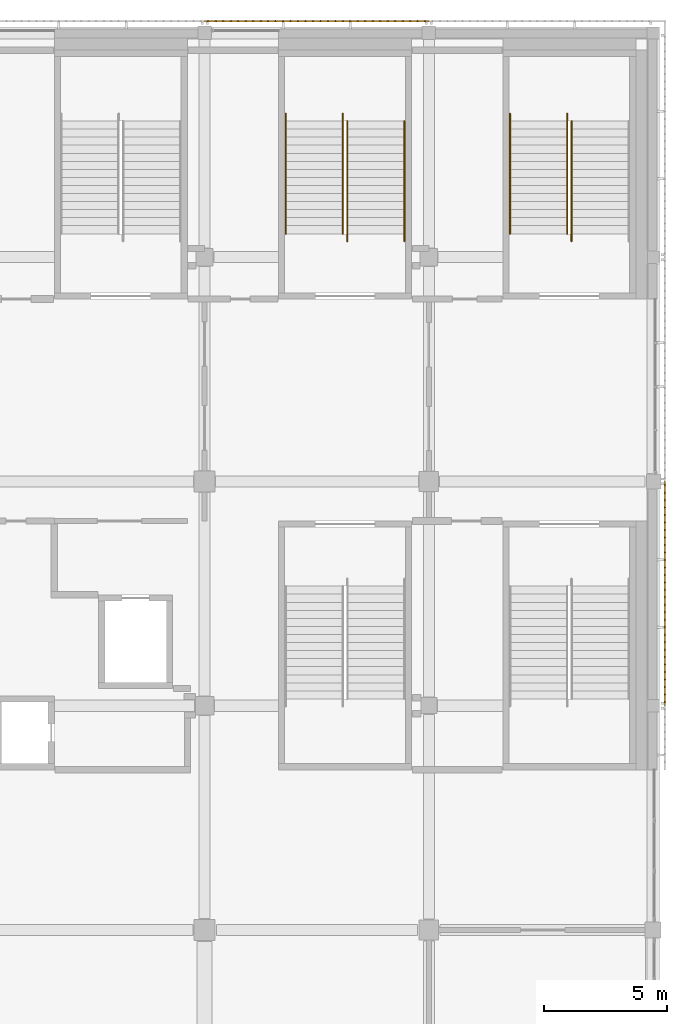
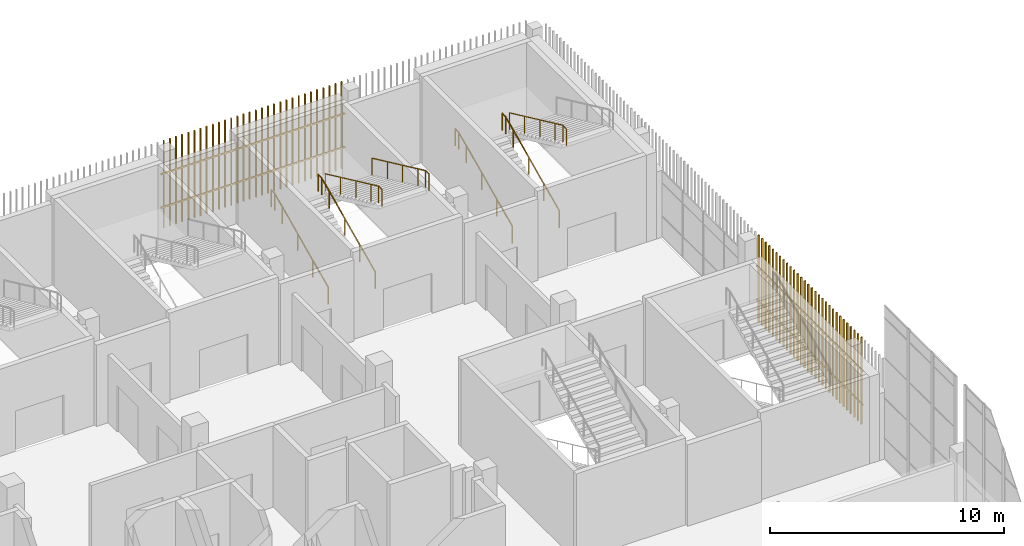
# One storey, part 123 of 126: 7 railings, 2 shading devices.
"""IFC4 building model written with IfcOpenShell, lengths in metres."""

from ifc_helpers import new_model, si_unit, direction, frame, origin, origin_2d, place, context, subcontext, project, spatial, rectangle, circle, extrude, material, type_object, element, save


model = new_model("IFC4")

# Units and contexts
model_context = context("Model", 3, precision=1e-05, world=origin(), true_north=direction((0.0, 1.0)))
body_context = subcontext(model_context, "Body", "Model", "MODEL_VIEW")
ifc_project = project(units=[si_unit("LENGTHUNIT", "METRE"), si_unit("AREAUNIT", "SQUARE_METRE"), si_unit("VOLUMEUNIT", "CUBIC_METRE"), si_unit("PLANEANGLEUNIT", "RADIAN"), si_unit("MASSUNIT", "GRAM", prefix="KILO")], contexts=[model_context])

# Site, building, storey
site_placement = place(None, origin())
site = spatial("IfcSite", under=ifc_project, at=site_placement, CompositionType="ELEMENT")
building_placement = place(site_placement, origin())
building = spatial("IfcBuilding", under=site, at=building_placement, Name="Shirokan Park Arena", CompositionType="ELEMENT")
storey_placement = place(building_placement, frame((0.0, 0.0, 6.3701171875)))
storey = spatial("IfcBuildingStorey", under=building, at=storey_placement, Name="L01", CompositionType="ELEMENT", Elevation=6.3701171875)

# Railings
ifc_material_1 = material(Name="Stainless steel", Category="steel")
railing_type = type_object("IfcRailingType", Name="Stair handrail 900", PredefinedType="HANDRAIL", material=ifc_material_1)
railing_1_placement = place(storey_placement, frame((139.7900390625, 101.050048828125, 0.151611328125)))
element("IfcRailing", 1, at=railing_1_placement, inside=storey, type_object=railing_type, Name="Handrail Exit Stair 3.A L01 to L02", PredefinedType="HANDRAIL", context=body_context, shape_type="SweptSolid", body=[
    extrude(circle(Radius=0.02392578125, at=origin_2d()), frame((0.0, 0.0, 0.8759765625), z_axis=(0.0, 0.906999720516, 0.421131222998), x_axis=(-1.0, 0.0, 0.0)), (0.0, 0.0, 1.0), 1.440673828125),
    extrude(circle(Radius=0.02392578125, at=origin_2d()), frame((0.0, 1.306640625, 1.482421875), z_axis=(0.0, 0.907029769225, 0.421066500378), x_axis=(-1.0, 0.0, 0.0)), (0.0, 0.0, 1.0), 1.44091796875),
    extrude(circle(Radius=0.02392578125, at=origin_2d()), frame((0.0, 2.613525390625, 2.08935546875), z_axis=(0.0, 0.907094476872, 0.420927083981), x_axis=(-1.0, 0.0, 0.0)), (0.0, 0.0, 1.0), 1.440673828125),
    extrude(circle(Radius=0.02392578125, at=origin_2d()), frame((0.0, 3.92041015625, 2.69580078125), z_axis=(0.0, 0.906934982928, 0.421270621741), x_axis=(-1.0, 0.0, 0.0)), (0.0, 0.0, 1.0), 0.720458984375),
    extrude(circle(Radius=0.02392578125, at=origin_2d()), frame((0.0, 4.57373046875, 2.9990234375), z_axis=(0.0, 1.0, 0.0), x_axis=(-1.0, 0.0, 0.0)), (0.0, 0.0, 1.0), 0.300048828125),
    extrude(circle(Radius=0.02099609375, at=origin_2d()), origin(), (0.0, 0.0, 1.0), 0.851806640625),
    extrude(circle(Radius=0.02099609375, at=origin_2d()), frame((0.0, 1.306640625, 0.606689453125)), (0.0, 0.0, 1.0), 0.851806640625),
    extrude(circle(Radius=0.02099609375, at=origin_2d()), frame((0.0, 2.613525390625, 1.21337890625)), (0.0, 0.0, 1.0), 0.851806640625),
    extrude(circle(Radius=0.02099609375, at=origin_2d()), frame((0.0, 3.92041015625, 1.81982421875)), (0.0, 0.0, 1.0), 0.851806640625),
    extrude(circle(Radius=0.02099609375, at=origin_2d()), frame((0.0, 4.57373046875, 2.123291015625)), (0.0, 0.0, 1.0), 0.851806640625),
    extrude(circle(Radius=0.02099609375, at=origin_2d()), frame((0.0, 4.873779296875, 2.123291015625)), (0.0, 0.0, 1.0), 0.851806640625),
])
railing_2_placement = place(storey_placement, frame((142.110107421875, 101.050048828125, 0.151611328125)))
element("IfcRailing", 2, at=railing_2_placement, inside=storey, type_object=railing_type, Name="Handrail Exit Stair 3.A L01 to L02", PredefinedType="HANDRAIL", context=body_context, shape_type="SweptSolid", body=[
    extrude(circle(Radius=0.02392578125, at=origin_2d()), frame((0.0, 0.0, 0.8759765625), z_axis=(0.0, 0.906999720516, 0.421131222998), x_axis=(-1.0, 0.0, 0.0)), (0.0, 0.0, 1.0), 1.440673828125),
    extrude(circle(Radius=0.02392578125, at=origin_2d()), frame((0.0, 1.306640625, 1.482421875), z_axis=(0.0, 0.907029769225, 0.421066500378), x_axis=(-1.0, 0.0, 0.0)), (0.0, 0.0, 1.0), 1.44091796875),
    extrude(circle(Radius=0.02392578125, at=origin_2d()), frame((0.0, 2.613525390625, 2.08935546875), z_axis=(0.0, 0.907094476872, 0.420927083981), x_axis=(-1.0, 0.0, 0.0)), (0.0, 0.0, 1.0), 1.440673828125),
    extrude(circle(Radius=0.02392578125, at=origin_2d()), frame((0.0, 3.92041015625, 2.69580078125), z_axis=(0.0, 0.906934982928, 0.421270621741), x_axis=(-1.0, 0.0, 0.0)), (0.0, 0.0, 1.0), 0.720458984375),
    extrude(circle(Radius=0.02392578125, at=origin_2d()), frame((0.0, 4.57373046875, 2.9990234375), z_axis=(0.0, 1.0, 0.0), x_axis=(-1.0, 0.0, 0.0)), (0.0, 0.0, 1.0), 0.300048828125),
    extrude(circle(Radius=0.02099609375, at=origin_2d()), origin(), (0.0, 0.0, 1.0), 0.851806640625),
    extrude(circle(Radius=0.02099609375, at=origin_2d()), frame((0.0, 1.306640625, 0.606689453125)), (0.0, 0.0, 1.0), 0.851806640625),
    extrude(circle(Radius=0.02099609375, at=origin_2d()), frame((0.0, 2.613525390625, 1.21337890625)), (0.0, 0.0, 1.0), 0.851806640625),
    extrude(circle(Radius=0.02099609375, at=origin_2d()), frame((0.0, 3.92041015625, 1.81982421875)), (0.0, 0.0, 1.0), 0.851806640625),
    extrude(circle(Radius=0.02099609375, at=origin_2d()), frame((0.0, 4.57373046875, 2.123291015625)), (0.0, 0.0, 1.0), 0.851806640625),
    extrude(circle(Radius=0.02099609375, at=origin_2d()), frame((0.0, 4.873779296875, 2.123291015625)), (0.0, 0.0, 1.0), 0.851806640625),
])
railing_3_placement = place(storey_placement, frame((142.2900390625, 105.623779296875, 2.426513671875)))
element("IfcRailing", 3, at=railing_3_placement, inside=storey, type_object=railing_type, Name="Handrail Exit Stair 3.A L01 to L02", PredefinedType="HANDRAIL", context=body_context, shape_type="SweptSolid", body=[
    extrude(circle(Radius=0.02392578125, at=origin_2d()), frame((0.0, 0.0, 0.8759765625), z_axis=(0.0, -0.907029769225, 0.421066500378), x_axis=(1.0, 0.0, 0.0)), (0.0, 0.0, 1.0), 1.44091796875),
    extrude(circle(Radius=0.02392578125, at=origin_2d()), frame((0.0, -1.306884765625, 1.482421875), z_axis=(0.0, -0.906999720516, 0.421131222998), x_axis=(1.0, 0.0, 0.0)), (0.0, 0.0, 1.0), 1.440673828125),
    extrude(circle(Radius=0.02392578125, at=origin_2d()), frame((0.0, -2.613525390625, 2.08935546875), z_axis=(0.0, -0.907029769225, 0.421066500378), x_axis=(1.0, 0.0, 0.0)), (0.0, 0.0, 1.0), 1.44091796875),
    extrude(circle(Radius=0.02392578125, at=origin_2d()), frame((0.0, -3.92041015625, 2.69580078125), z_axis=(0.0, -0.907064445915, 0.420991794405), x_axis=(1.0, 0.0, 0.0)), (0.0, 0.0, 1.0), 0.72021484375),
    extrude(circle(Radius=0.02392578125, at=origin_2d()), frame((0.0, -4.57373046875, 2.9990234375), z_axis=(0.0, -1.0, 0.0), x_axis=(1.0, 0.0, 0.0)), (0.0, 0.0, 1.0), 0.300048828125),
    extrude(circle(Radius=0.02099609375, at=origin_2d()), origin(), (0.0, 0.0, 1.0), 0.851806640625),
    extrude(circle(Radius=0.02099609375, at=origin_2d()), frame((0.0, -1.306884765625, 0.606689453125)), (0.0, 0.0, 1.0), 0.851806640625),
    extrude(circle(Radius=0.02099609375, at=origin_2d()), frame((0.0, -2.613525390625, 1.21337890625)), (0.0, 0.0, 1.0), 0.851806640625),
    extrude(circle(Radius=0.02099609375, at=origin_2d()), frame((0.0, -3.92041015625, 1.820068359375)), (0.0, 0.0, 1.0), 0.851806640625),
    extrude(circle(Radius=0.02099609375, at=origin_2d()), frame((0.0, -4.57373046875, 2.123291015625)), (0.0, 0.0, 1.0), 0.851806640625),
    extrude(circle(Radius=0.02099609375, at=origin_2d()), frame((0.0, -4.873779296875, 2.123291015625)), (0.0, 0.0, 1.0), 0.851806640625),
])
railing_4_placement = place(storey_placement, frame((130.68994140625, 101.050048828125, 0.151611328125)))
element("IfcRailing", 4, at=railing_4_placement, inside=storey, type_object=railing_type, Name="Handrail Exit Stair 3.B L01 to L02", PredefinedType="HANDRAIL", context=body_context, shape_type="SweptSolid", body=[
    extrude(circle(Radius=0.02392578125, at=origin_2d()), frame((0.0, 0.0, 0.8759765625), z_axis=(0.0, 0.906999720516, 0.421131222998), x_axis=(-1.0, 0.0, 0.0)), (0.0, 0.0, 1.0), 1.440673828125),
    extrude(circle(Radius=0.02392578125, at=origin_2d()), frame((0.0, 1.306640625, 1.482421875), z_axis=(0.0, 0.907029769225, 0.421066500378), x_axis=(-1.0, 0.0, 0.0)), (0.0, 0.0, 1.0), 1.44091796875),
    extrude(circle(Radius=0.02392578125, at=origin_2d()), frame((0.0, 2.613525390625, 2.08935546875), z_axis=(0.0, 0.907094476872, 0.420927083981), x_axis=(-1.0, 0.0, 0.0)), (0.0, 0.0, 1.0), 1.440673828125),
    extrude(circle(Radius=0.02392578125, at=origin_2d()), frame((0.0, 3.92041015625, 2.69580078125), z_axis=(0.0, 0.906934982928, 0.421270621741), x_axis=(-1.0, 0.0, 0.0)), (0.0, 0.0, 1.0), 0.720458984375),
    extrude(circle(Radius=0.02392578125, at=origin_2d()), frame((0.0, 4.57373046875, 2.9990234375), z_axis=(0.0, 1.0, 0.0), x_axis=(-1.0, 0.0, 0.0)), (0.0, 0.0, 1.0), 0.300048828125),
    extrude(circle(Radius=0.02099609375, at=origin_2d()), origin(), (0.0, 0.0, 1.0), 0.851806640625),
    extrude(circle(Radius=0.02099609375, at=origin_2d()), frame((0.0, 1.306640625, 0.606689453125)), (0.0, 0.0, 1.0), 0.851806640625),
    extrude(circle(Radius=0.02099609375, at=origin_2d()), frame((0.0, 2.613525390625, 1.21337890625)), (0.0, 0.0, 1.0), 0.851806640625),
    extrude(circle(Radius=0.02099609375, at=origin_2d()), frame((0.0, 3.92041015625, 1.81982421875)), (0.0, 0.0, 1.0), 0.851806640625),
    extrude(circle(Radius=0.02099609375, at=origin_2d()), frame((0.0, 4.57373046875, 2.123291015625)), (0.0, 0.0, 1.0), 0.851806640625),
    extrude(circle(Radius=0.02099609375, at=origin_2d()), frame((0.0, 4.873779296875, 2.123291015625)), (0.0, 0.0, 1.0), 0.851806640625),
])
railing_5_placement = place(storey_placement, frame((133.010009765625, 101.050048828125, 0.151611328125)))
element("IfcRailing", 5, at=railing_5_placement, inside=storey, type_object=railing_type, Name="Handrail Exit Stair 3.B L01 to L02", PredefinedType="HANDRAIL", context=body_context, shape_type="SweptSolid", body=[
    extrude(circle(Radius=0.02392578125, at=origin_2d()), frame((0.0, 0.0, 0.8759765625), z_axis=(0.0, 0.906999720516, 0.421131222998), x_axis=(-1.0, 0.0, 0.0)), (0.0, 0.0, 1.0), 1.440673828125),
    extrude(circle(Radius=0.02392578125, at=origin_2d()), frame((0.0, 1.306640625, 1.482421875), z_axis=(0.0, 0.907029769225, 0.421066500378), x_axis=(-1.0, 0.0, 0.0)), (0.0, 0.0, 1.0), 1.44091796875),
    extrude(circle(Radius=0.02392578125, at=origin_2d()), frame((0.0, 2.613525390625, 2.08935546875), z_axis=(0.0, 0.907094476872, 0.420927083981), x_axis=(-1.0, 0.0, 0.0)), (0.0, 0.0, 1.0), 1.440673828125),
    extrude(circle(Radius=0.02392578125, at=origin_2d()), frame((0.0, 3.92041015625, 2.69580078125), z_axis=(0.0, 0.906934982928, 0.421270621741), x_axis=(-1.0, 0.0, 0.0)), (0.0, 0.0, 1.0), 0.720458984375),
    extrude(circle(Radius=0.02392578125, at=origin_2d()), frame((0.0, 4.57373046875, 2.9990234375), z_axis=(0.0, 1.0, 0.0), x_axis=(-1.0, 0.0, 0.0)), (0.0, 0.0, 1.0), 0.300048828125),
    extrude(circle(Radius=0.02099609375, at=origin_2d()), origin(), (0.0, 0.0, 1.0), 0.851806640625),
    extrude(circle(Radius=0.02099609375, at=origin_2d()), frame((0.0, 1.306640625, 0.606689453125)), (0.0, 0.0, 1.0), 0.851806640625),
    extrude(circle(Radius=0.02099609375, at=origin_2d()), frame((0.0, 2.613525390625, 1.21337890625)), (0.0, 0.0, 1.0), 0.851806640625),
    extrude(circle(Radius=0.02099609375, at=origin_2d()), frame((0.0, 3.92041015625, 1.81982421875)), (0.0, 0.0, 1.0), 0.851806640625),
    extrude(circle(Radius=0.02099609375, at=origin_2d()), frame((0.0, 4.57373046875, 2.123291015625)), (0.0, 0.0, 1.0), 0.851806640625),
    extrude(circle(Radius=0.02099609375, at=origin_2d()), frame((0.0, 4.873779296875, 2.123291015625)), (0.0, 0.0, 1.0), 0.851806640625),
])
railing_6_placement = place(storey_placement, frame((133.18994140625, 105.623779296875, 2.426513671875)))
element("IfcRailing", 6, at=railing_6_placement, inside=storey, type_object=railing_type, Name="Handrail Exit Stair 3.B L01 to L02", PredefinedType="HANDRAIL", context=body_context, shape_type="SweptSolid", body=[
    extrude(circle(Radius=0.02392578125, at=origin_2d()), frame((0.0, 0.0, 0.8759765625), z_axis=(0.0, -0.907029769225, 0.421066500378), x_axis=(1.0, 0.0, 0.0)), (0.0, 0.0, 1.0), 1.44091796875),
    extrude(circle(Radius=0.02392578125, at=origin_2d()), frame((0.0, -1.306884765625, 1.482421875), z_axis=(0.0, -0.906999720516, 0.421131222998), x_axis=(1.0, 0.0, 0.0)), (0.0, 0.0, 1.0), 1.440673828125),
    extrude(circle(Radius=0.02392578125, at=origin_2d()), frame((0.0, -2.613525390625, 2.08935546875), z_axis=(0.0, -0.907029769225, 0.421066500378), x_axis=(1.0, 0.0, 0.0)), (0.0, 0.0, 1.0), 1.44091796875),
    extrude(circle(Radius=0.02392578125, at=origin_2d()), frame((0.0, -3.92041015625, 2.69580078125), z_axis=(0.0, -0.907064445915, 0.420991794405), x_axis=(1.0, 0.0, 0.0)), (0.0, 0.0, 1.0), 0.72021484375),
    extrude(circle(Radius=0.02392578125, at=origin_2d()), frame((0.0, -4.57373046875, 2.9990234375), z_axis=(0.0, -1.0, 0.0), x_axis=(1.0, 0.0, 0.0)), (0.0, 0.0, 1.0), 0.300048828125),
    extrude(circle(Radius=0.02099609375, at=origin_2d()), origin(), (0.0, 0.0, 1.0), 0.851806640625),
    extrude(circle(Radius=0.02099609375, at=origin_2d()), frame((0.0, -1.306884765625, 0.606689453125)), (0.0, 0.0, 1.0), 0.851806640625),
    extrude(circle(Radius=0.02099609375, at=origin_2d()), frame((0.0, -2.613525390625, 1.21337890625)), (0.0, 0.0, 1.0), 0.851806640625),
    extrude(circle(Radius=0.02099609375, at=origin_2d()), frame((0.0, -3.92041015625, 1.820068359375)), (0.0, 0.0, 1.0), 0.851806640625),
    extrude(circle(Radius=0.02099609375, at=origin_2d()), frame((0.0, -4.57373046875, 2.123291015625)), (0.0, 0.0, 1.0), 0.851806640625),
    extrude(circle(Radius=0.02099609375, at=origin_2d()), frame((0.0, -4.873779296875, 2.123291015625)), (0.0, 0.0, 1.0), 0.851806640625),
])
railing_7_placement = place(storey_placement, frame((135.510009765625, 105.623779296875, 2.426513671875)))
element("IfcRailing", 7, at=railing_7_placement, inside=storey, type_object=railing_type, Name="Handrail Exit Stair 3.B L01 to L02", PredefinedType="HANDRAIL", context=body_context, shape_type="SweptSolid", body=[
    extrude(circle(Radius=0.02392578125, at=origin_2d()), frame((0.0, 0.0, 0.8759765625), z_axis=(0.0, -0.907029769225, 0.421066500378), x_axis=(1.0, 0.0, 0.0)), (0.0, 0.0, 1.0), 1.44091796875),
    extrude(circle(Radius=0.02392578125, at=origin_2d()), frame((0.0, -1.306884765625, 1.482421875), z_axis=(0.0, -0.906999720516, 0.421131222998), x_axis=(1.0, 0.0, 0.0)), (0.0, 0.0, 1.0), 1.440673828125),
    extrude(circle(Radius=0.02392578125, at=origin_2d()), frame((0.0, -2.613525390625, 2.08935546875), z_axis=(0.0, -0.907029769225, 0.421066500378), x_axis=(1.0, 0.0, 0.0)), (0.0, 0.0, 1.0), 1.44091796875),
    extrude(circle(Radius=0.02392578125, at=origin_2d()), frame((0.0, -3.92041015625, 2.69580078125), z_axis=(0.0, -0.907064445915, 0.420991794405), x_axis=(1.0, 0.0, 0.0)), (0.0, 0.0, 1.0), 0.72021484375),
    extrude(circle(Radius=0.02392578125, at=origin_2d()), frame((0.0, -4.57373046875, 2.9990234375), z_axis=(0.0, -1.0, 0.0), x_axis=(1.0, 0.0, 0.0)), (0.0, 0.0, 1.0), 0.300048828125),
    extrude(circle(Radius=0.02099609375, at=origin_2d()), origin(), (0.0, 0.0, 1.0), 0.851806640625),
    extrude(circle(Radius=0.02099609375, at=origin_2d()), frame((0.0, -1.306884765625, 0.606689453125)), (0.0, 0.0, 1.0), 0.851806640625),
    extrude(circle(Radius=0.02099609375, at=origin_2d()), frame((0.0, -2.613525390625, 1.21337890625)), (0.0, 0.0, 1.0), 0.851806640625),
    extrude(circle(Radius=0.02099609375, at=origin_2d()), frame((0.0, -3.92041015625, 1.820068359375)), (0.0, 0.0, 1.0), 0.851806640625),
    extrude(circle(Radius=0.02099609375, at=origin_2d()), frame((0.0, -4.57373046875, 2.123291015625)), (0.0, 0.0, 1.0), 0.851806640625),
    extrude(circle(Radius=0.02099609375, at=origin_2d()), frame((0.0, -4.873779296875, 2.123291015625)), (0.0, 0.0, 1.0), 0.851806640625),
])

# Shading devices
ifc_material_2 = material(Name="Timber louvre veil (cedar)", Category="wood")
shading_device_type = type_object("IfcShadingDeviceType", Name="Timber louvre veil panel", PredefinedType="JALOUSIE", material=ifc_material_2)
shading_device_1_placement = place(storey_placement, origin())
element("IfcShadingDevice", 8, at=shading_device_1_placement, inside=storey, type_object=shading_device_type, Name="Timber louvre veil east bay 10 L01", PredefinedType="JALOUSIE", context=body_context, shape_type="SweptSolid", body=[
    extrude(rectangle(XDim=0.050048828125, YDim=0.080078125, at=origin_2d()), frame((146.0849609375, 82.0517578125, 0.0), z_axis=(0.0, 0.0, 1.0), x_axis=(0.0, 1.0, 0.0)), (0.0, 0.0, 1.0), 4.550048828125),
    extrude(rectangle(XDim=0.050048828125, YDim=0.080078125, at=origin_2d()), frame((146.0849609375, 82.35498046875, 0.0), z_axis=(0.0, 0.0, 1.0), x_axis=(0.0, 1.0, 0.0)), (0.0, 0.0, 1.0), 4.550048828125),
    extrude(rectangle(XDim=0.050048828125, YDim=0.080078125, at=origin_2d()), frame((146.0849609375, 82.658447265625, 0.0), z_axis=(0.0, 0.0, 1.0), x_axis=(0.0, 1.0, 0.0)), (0.0, 0.0, 1.0), 4.550048828125),
    extrude(rectangle(XDim=0.050048828125, YDim=0.080078125, at=origin_2d()), frame((146.0849609375, 82.961669921875, 0.0), z_axis=(0.0, 0.0, 1.0), x_axis=(0.0, 1.0, 0.0)), (0.0, 0.0, 1.0), 4.550048828125),
    extrude(rectangle(XDim=0.050048828125, YDim=0.080078125, at=origin_2d()), frame((146.0849609375, 83.264892578125, 0.0), z_axis=(0.0, 0.0, 1.0), x_axis=(0.0, 1.0, 0.0)), (0.0, 0.0, 1.0), 4.550048828125),
    extrude(rectangle(XDim=0.050048828125, YDim=0.080078125, at=origin_2d()), frame((146.0849609375, 83.568359375, 0.0), z_axis=(0.0, 0.0, 1.0), x_axis=(0.0, 1.0, 0.0)), (0.0, 0.0, 1.0), 4.550048828125),
    extrude(rectangle(XDim=0.050048828125, YDim=0.080078125, at=origin_2d()), frame((146.0849609375, 83.87158203125, 0.0), z_axis=(0.0, 0.0, 1.0), x_axis=(0.0, 1.0, 0.0)), (0.0, 0.0, 1.0), 4.550048828125),
    extrude(rectangle(XDim=0.050048828125, YDim=0.080078125, at=origin_2d()), frame((146.0849609375, 84.175048828125, 0.0), z_axis=(0.0, 0.0, 1.0), x_axis=(0.0, 1.0, 0.0)), (0.0, 0.0, 1.0), 4.550048828125),
    extrude(rectangle(XDim=0.050048828125, YDim=0.080078125, at=origin_2d()), frame((146.0849609375, 84.478271484375, 0.0), z_axis=(0.0, 0.0, 1.0), x_axis=(0.0, 1.0, 0.0)), (0.0, 0.0, 1.0), 4.550048828125),
    extrude(rectangle(XDim=0.050048828125, YDim=0.080078125, at=origin_2d()), frame((146.0849609375, 84.78173828125, 0.0), z_axis=(0.0, 0.0, 1.0), x_axis=(0.0, 1.0, 0.0)), (0.0, 0.0, 1.0), 4.550048828125),
    extrude(rectangle(XDim=0.050048828125, YDim=0.080078125, at=origin_2d()), frame((146.0849609375, 85.0849609375, 0.0), z_axis=(0.0, 0.0, 1.0), x_axis=(0.0, 1.0, 0.0)), (0.0, 0.0, 1.0), 4.550048828125),
    extrude(rectangle(XDim=0.050048828125, YDim=0.080078125, at=origin_2d()), frame((146.0849609375, 85.388427734375, 0.0), z_axis=(0.0, 0.0, 1.0), x_axis=(0.0, 1.0, 0.0)), (0.0, 0.0, 1.0), 4.550048828125),
    extrude(rectangle(XDim=0.050048828125, YDim=0.080078125, at=origin_2d()), frame((146.0849609375, 85.691650390625, 0.0), z_axis=(0.0, 0.0, 1.0), x_axis=(0.0, 1.0, 0.0)), (0.0, 0.0, 1.0), 4.550048828125),
    extrude(rectangle(XDim=0.050048828125, YDim=0.080078125, at=origin_2d()), frame((146.0849609375, 85.9951171875, 0.0), z_axis=(0.0, 0.0, 1.0), x_axis=(0.0, 1.0, 0.0)), (0.0, 0.0, 1.0), 4.550048828125),
    extrude(rectangle(XDim=0.050048828125, YDim=0.080078125, at=origin_2d()), frame((146.0849609375, 86.29833984375, 0.0), z_axis=(0.0, 0.0, 1.0), x_axis=(0.0, 1.0, 0.0)), (0.0, 0.0, 1.0), 4.550048828125),
    extrude(rectangle(XDim=0.050048828125, YDim=0.080078125, at=origin_2d()), frame((146.0849609375, 86.6015625, 0.0), z_axis=(0.0, 0.0, 1.0), x_axis=(0.0, 1.0, 0.0)), (0.0, 0.0, 1.0), 4.550048828125),
    extrude(rectangle(XDim=0.050048828125, YDim=0.080078125, at=origin_2d()), frame((146.0849609375, 86.905029296875, 0.0), z_axis=(0.0, 0.0, 1.0), x_axis=(0.0, 1.0, 0.0)), (0.0, 0.0, 1.0), 4.550048828125),
    extrude(rectangle(XDim=0.050048828125, YDim=0.080078125, at=origin_2d()), frame((146.0849609375, 87.208251953125, 0.0), z_axis=(0.0, 0.0, 1.0), x_axis=(0.0, 1.0, 0.0)), (0.0, 0.0, 1.0), 4.550048828125),
    extrude(rectangle(XDim=0.050048828125, YDim=0.080078125, at=origin_2d()), frame((146.0849609375, 87.51171875, 0.0), z_axis=(0.0, 0.0, 1.0), x_axis=(0.0, 1.0, 0.0)), (0.0, 0.0, 1.0), 4.550048828125),
    extrude(rectangle(XDim=0.050048828125, YDim=0.080078125, at=origin_2d()), frame((146.0849609375, 87.81494140625, 0.0), z_axis=(0.0, 0.0, 1.0), x_axis=(0.0, 1.0, 0.0)), (0.0, 0.0, 1.0), 4.550048828125),
    extrude(rectangle(XDim=0.050048828125, YDim=0.080078125, at=origin_2d()), frame((146.0849609375, 88.118408203125, 0.0), z_axis=(0.0, 0.0, 1.0), x_axis=(0.0, 1.0, 0.0)), (0.0, 0.0, 1.0), 4.550048828125),
    extrude(rectangle(XDim=0.050048828125, YDim=0.080078125, at=origin_2d()), frame((146.0849609375, 88.421630859375, 0.0), z_axis=(0.0, 0.0, 1.0), x_axis=(0.0, 1.0, 0.0)), (0.0, 0.0, 1.0), 4.550048828125),
    extrude(rectangle(XDim=0.050048828125, YDim=0.080078125, at=origin_2d()), frame((146.0849609375, 88.72509765625, 0.0), z_axis=(0.0, 0.0, 1.0), x_axis=(0.0, 1.0, 0.0)), (0.0, 0.0, 1.0), 4.550048828125),
    extrude(rectangle(XDim=0.050048828125, YDim=0.080078125, at=origin_2d()), frame((146.0849609375, 89.0283203125, 0.0), z_axis=(0.0, 0.0, 1.0), x_axis=(0.0, 1.0, 0.0)), (0.0, 0.0, 1.0), 4.550048828125),
    extrude(rectangle(XDim=0.050048828125, YDim=0.080078125, at=origin_2d()), frame((146.0849609375, 89.331787109375, 0.0), z_axis=(0.0, 0.0, 1.0), x_axis=(0.0, 1.0, 0.0)), (0.0, 0.0, 1.0), 4.550048828125),
    extrude(rectangle(XDim=0.050048828125, YDim=0.080078125, at=origin_2d()), frame((146.0849609375, 89.635009765625, 0.0), z_axis=(0.0, 0.0, 1.0), x_axis=(0.0, 1.0, 0.0)), (0.0, 0.0, 1.0), 4.550048828125),
    extrude(rectangle(XDim=0.050048828125, YDim=0.080078125, at=origin_2d()), frame((146.0849609375, 89.938232421875, 0.0), z_axis=(0.0, 0.0, 1.0), x_axis=(0.0, 1.0, 0.0)), (0.0, 0.0, 1.0), 4.550048828125),
    extrude(rectangle(XDim=0.050048828125, YDim=0.080078125, at=origin_2d()), frame((146.0849609375, 90.24169921875, 0.0), z_axis=(0.0, 0.0, 1.0), x_axis=(0.0, 1.0, 0.0)), (0.0, 0.0, 1.0), 4.550048828125),
    extrude(rectangle(XDim=0.050048828125, YDim=0.080078125, at=origin_2d()), frame((146.0849609375, 90.544921875, 0.0), z_axis=(0.0, 0.0, 1.0), x_axis=(0.0, 1.0, 0.0)), (0.0, 0.0, 1.0), 4.550048828125),
    extrude(rectangle(XDim=0.050048828125, YDim=0.080078125, at=origin_2d()), frame((146.0849609375, 90.848388671875, 0.0), z_axis=(0.0, 0.0, 1.0), x_axis=(0.0, 1.0, 0.0)), (0.0, 0.0, 1.0), 4.550048828125),
    extrude(rectangle(XDim=9.10009765625, YDim=0.050048828125, at=origin_2d()), frame((146.070068359375, 86.449951171875, 1.059814453125), z_axis=(0.0, 0.0, 1.0), x_axis=(0.0, 1.0, 0.0)), (0.0, 0.0, 1.0), 0.080078125),
    extrude(rectangle(XDim=9.10009765625, YDim=0.050048828125, at=origin_2d()), frame((146.070068359375, 86.449951171875, 2.809814453125), z_axis=(0.0, 0.0, 1.0), x_axis=(0.0, 1.0, 0.0)), (0.0, 0.0, 1.0), 0.080078125),
])
shading_device_2_placement = place(storey_placement, origin())
element("IfcShadingDevice", 9, at=shading_device_2_placement, inside=storey, type_object=shading_device_type, Name="Timber louvre veil north bay 2 L01", PredefinedType="JALOUSIE", context=body_context, shape_type="SweptSolid", body=[
    extrude(rectangle(XDim=0.050048828125, YDim=0.080078125, at=origin_2d()), frame((136.348388671875, 109.68505859375, 0.0), z_axis=(0.0, 0.0, 1.0), x_axis=(-1.0, 0.0, 0.0)), (0.0, 0.0, 1.0), 4.550048828125),
    extrude(rectangle(XDim=0.050048828125, YDim=0.080078125, at=origin_2d()), frame((136.044921875, 109.68505859375, 0.0), z_axis=(0.0, 0.0, 1.0), x_axis=(-1.0, 0.0, 0.0)), (0.0, 0.0, 1.0), 4.550048828125),
    extrude(rectangle(XDim=0.050048828125, YDim=0.080078125, at=origin_2d()), frame((135.74169921875, 109.68505859375, 0.0), z_axis=(0.0, 0.0, 1.0), x_axis=(-1.0, 0.0, 0.0)), (0.0, 0.0, 1.0), 4.550048828125),
    extrude(rectangle(XDim=0.050048828125, YDim=0.080078125, at=origin_2d()), frame((135.438232421875, 109.68505859375, 0.0), z_axis=(0.0, 0.0, 1.0), x_axis=(-1.0, 0.0, 0.0)), (0.0, 0.0, 1.0), 4.550048828125),
    extrude(rectangle(XDim=0.050048828125, YDim=0.080078125, at=origin_2d()), frame((135.135009765625, 109.68505859375, 0.0), z_axis=(0.0, 0.0, 1.0), x_axis=(-1.0, 0.0, 0.0)), (0.0, 0.0, 1.0), 4.550048828125),
    extrude(rectangle(XDim=0.050048828125, YDim=0.080078125, at=origin_2d()), frame((134.831787109375, 109.68505859375, 0.0), z_axis=(0.0, 0.0, 1.0), x_axis=(-1.0, 0.0, 0.0)), (0.0, 0.0, 1.0), 4.550048828125),
    extrude(rectangle(XDim=0.050048828125, YDim=0.080078125, at=origin_2d()), frame((134.5283203125, 109.68505859375, 0.0), z_axis=(0.0, 0.0, 1.0), x_axis=(-1.0, 0.0, 0.0)), (0.0, 0.0, 1.0), 4.550048828125),
    extrude(rectangle(XDim=0.050048828125, YDim=0.080078125, at=origin_2d()), frame((134.22509765625, 109.68505859375, 0.0), z_axis=(0.0, 0.0, 1.0), x_axis=(-1.0, 0.0, 0.0)), (0.0, 0.0, 1.0), 4.550048828125),
    extrude(rectangle(XDim=0.050048828125, YDim=0.080078125, at=origin_2d()), frame((133.921630859375, 109.68505859375, 0.0), z_axis=(0.0, 0.0, 1.0), x_axis=(-1.0, 0.0, 0.0)), (0.0, 0.0, 1.0), 4.550048828125),
    extrude(rectangle(XDim=0.050048828125, YDim=0.080078125, at=origin_2d()), frame((133.618408203125, 109.68505859375, 0.0), z_axis=(0.0, 0.0, 1.0), x_axis=(-1.0, 0.0, 0.0)), (0.0, 0.0, 1.0), 4.550048828125),
    extrude(rectangle(XDim=0.050048828125, YDim=0.080078125, at=origin_2d()), frame((133.31494140625, 109.68505859375, 0.0), z_axis=(0.0, 0.0, 1.0), x_axis=(-1.0, 0.0, 0.0)), (0.0, 0.0, 1.0), 4.550048828125),
    extrude(rectangle(XDim=0.050048828125, YDim=0.080078125, at=origin_2d()), frame((133.01171875, 109.68505859375, 0.0), z_axis=(0.0, 0.0, 1.0), x_axis=(-1.0, 0.0, 0.0)), (0.0, 0.0, 1.0), 4.550048828125),
    extrude(rectangle(XDim=0.050048828125, YDim=0.080078125, at=origin_2d()), frame((132.708251953125, 109.68505859375, 0.0), z_axis=(0.0, 0.0, 1.0), x_axis=(-1.0, 0.0, 0.0)), (0.0, 0.0, 1.0), 4.550048828125),
    extrude(rectangle(XDim=0.050048828125, YDim=0.080078125, at=origin_2d()), frame((132.405029296875, 109.68505859375, 0.0), z_axis=(0.0, 0.0, 1.0), x_axis=(-1.0, 0.0, 0.0)), (0.0, 0.0, 1.0), 4.550048828125),
    extrude(rectangle(XDim=0.050048828125, YDim=0.080078125, at=origin_2d()), frame((132.1015625, 109.68505859375, 0.0), z_axis=(0.0, 0.0, 1.0), x_axis=(-1.0, 0.0, 0.0)), (0.0, 0.0, 1.0), 4.550048828125),
    extrude(rectangle(XDim=0.050048828125, YDim=0.080078125, at=origin_2d()), frame((131.79833984375, 109.68505859375, 0.0), z_axis=(0.0, 0.0, 1.0), x_axis=(-1.0, 0.0, 0.0)), (0.0, 0.0, 1.0), 4.550048828125),
    extrude(rectangle(XDim=0.050048828125, YDim=0.080078125, at=origin_2d()), frame((131.4951171875, 109.68505859375, 0.0), z_axis=(0.0, 0.0, 1.0), x_axis=(-1.0, 0.0, 0.0)), (0.0, 0.0, 1.0), 4.550048828125),
    extrude(rectangle(XDim=0.050048828125, YDim=0.080078125, at=origin_2d()), frame((131.191650390625, 109.68505859375, 0.0), z_axis=(0.0, 0.0, 1.0), x_axis=(-1.0, 0.0, 0.0)), (0.0, 0.0, 1.0), 4.550048828125),
    extrude(rectangle(XDim=0.050048828125, YDim=0.080078125, at=origin_2d()), frame((130.888427734375, 109.68505859375, 0.0), z_axis=(0.0, 0.0, 1.0), x_axis=(-1.0, 0.0, 0.0)), (0.0, 0.0, 1.0), 4.550048828125),
    extrude(rectangle(XDim=0.050048828125, YDim=0.080078125, at=origin_2d()), frame((130.5849609375, 109.68505859375, 0.0), z_axis=(0.0, 0.0, 1.0), x_axis=(-1.0, 0.0, 0.0)), (0.0, 0.0, 1.0), 4.550048828125),
    extrude(rectangle(XDim=0.050048828125, YDim=0.080078125, at=origin_2d()), frame((130.28173828125, 109.68505859375, 0.0), z_axis=(0.0, 0.0, 1.0), x_axis=(-1.0, 0.0, 0.0)), (0.0, 0.0, 1.0), 4.550048828125),
    extrude(rectangle(XDim=0.050048828125, YDim=0.080078125, at=origin_2d()), frame((129.978271484375, 109.68505859375, 0.0), z_axis=(0.0, 0.0, 1.0), x_axis=(-1.0, 0.0, 0.0)), (0.0, 0.0, 1.0), 4.550048828125),
    extrude(rectangle(XDim=0.050048828125, YDim=0.080078125, at=origin_2d()), frame((129.675048828125, 109.68505859375, 0.0), z_axis=(0.0, 0.0, 1.0), x_axis=(-1.0, 0.0, 0.0)), (0.0, 0.0, 1.0), 4.550048828125),
    extrude(rectangle(XDim=0.050048828125, YDim=0.080078125, at=origin_2d()), frame((129.37158203125, 109.68505859375, 0.0), z_axis=(0.0, 0.0, 1.0), x_axis=(-1.0, 0.0, 0.0)), (0.0, 0.0, 1.0), 4.550048828125),
    extrude(rectangle(XDim=0.050048828125, YDim=0.080078125, at=origin_2d()), frame((129.068359375, 109.68505859375, 0.0), z_axis=(0.0, 0.0, 1.0), x_axis=(-1.0, 0.0, 0.0)), (0.0, 0.0, 1.0), 4.550048828125),
    extrude(rectangle(XDim=0.050048828125, YDim=0.080078125, at=origin_2d()), frame((128.764892578125, 109.68505859375, 0.0), z_axis=(0.0, 0.0, 1.0), x_axis=(-1.0, 0.0, 0.0)), (0.0, 0.0, 1.0), 4.550048828125),
    extrude(rectangle(XDim=0.050048828125, YDim=0.080078125, at=origin_2d()), frame((128.461669921875, 109.68505859375, 0.0), z_axis=(0.0, 0.0, 1.0), x_axis=(-1.0, 0.0, 0.0)), (0.0, 0.0, 1.0), 4.550048828125),
    extrude(rectangle(XDim=0.050048828125, YDim=0.080078125, at=origin_2d()), frame((128.158447265625, 109.68505859375, 0.0), z_axis=(0.0, 0.0, 1.0), x_axis=(-1.0, 0.0, 0.0)), (0.0, 0.0, 1.0), 4.550048828125),
    extrude(rectangle(XDim=0.050048828125, YDim=0.080078125, at=origin_2d()), frame((127.85498046875, 109.68505859375, 0.0), z_axis=(0.0, 0.0, 1.0), x_axis=(-1.0, 0.0, 0.0)), (0.0, 0.0, 1.0), 4.550048828125),
    extrude(rectangle(XDim=0.050048828125, YDim=0.080078125, at=origin_2d()), frame((127.5517578125, 109.68505859375, 0.0), z_axis=(0.0, 0.0, 1.0), x_axis=(-1.0, 0.0, 0.0)), (0.0, 0.0, 1.0), 4.550048828125),
    extrude(rectangle(XDim=9.10009765625, YDim=0.050048828125, at=origin_2d()), frame((131.949951171875, 109.669921875, 1.059814453125), z_axis=(0.0, 0.0, 1.0), x_axis=(-1.0, 0.0, 0.0)), (0.0, 0.0, 1.0), 0.080078125),
    extrude(rectangle(XDim=9.10009765625, YDim=0.050048828125, at=origin_2d()), frame((131.949951171875, 109.669921875, 2.809814453125), z_axis=(0.0, 0.0, 1.0), x_axis=(-1.0, 0.0, 0.0)), (0.0, 0.0, 1.0), 0.080078125),
])

save(model, "model.ifc")
